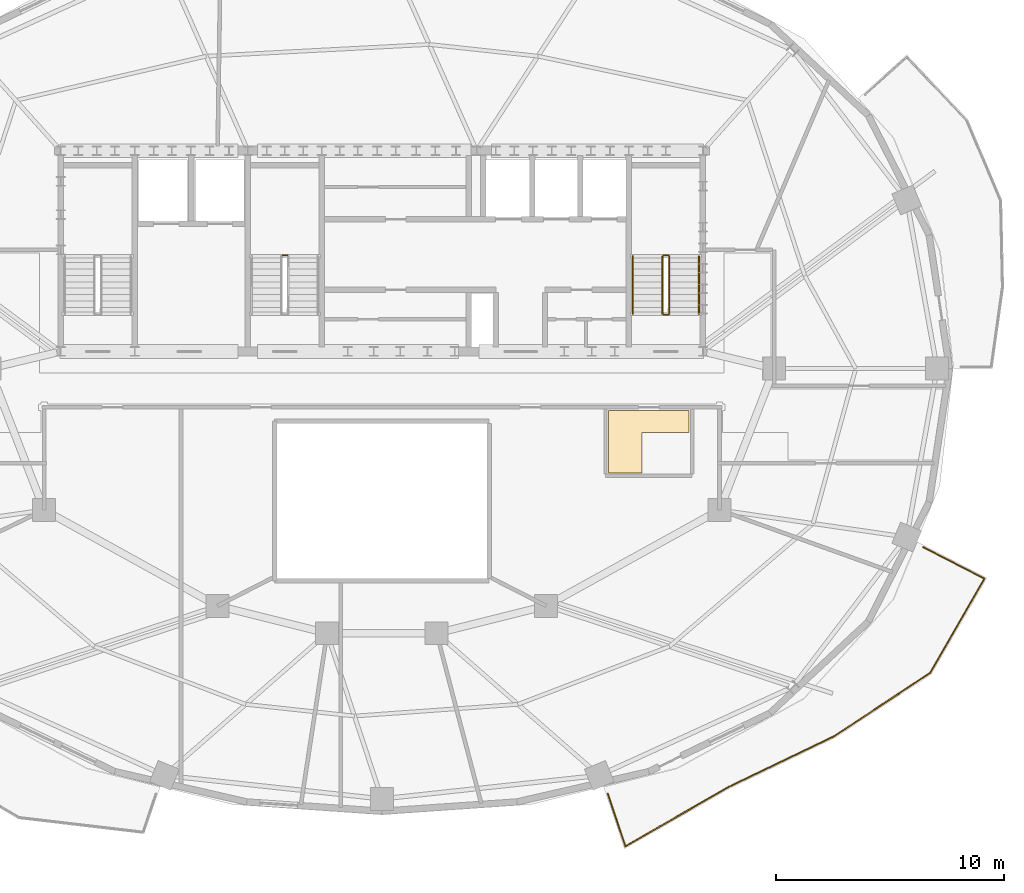
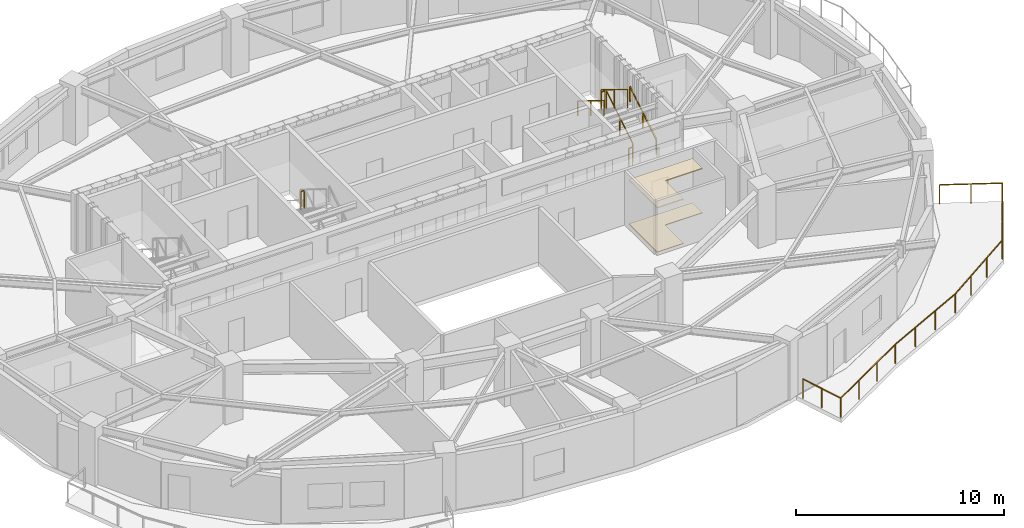
# One storey, part 9 of 10: 8 railings, 2 coverings.
"""IFC4 building model written with IfcOpenShell, lengths in metres."""

import ifcopenshell
import ifcopenshell.guid

model = None  # the IFC model being written
_history = None  # IfcOwnerHistory: only IFC2X3 demands one
_inside = {}  # id of a spatial element -> (the spatial element, [elements in it])
_under = {}  # id of a project, library or spatial element -> (it, [spatial elements below it])
_declared = {}  # id of a project -> (the project, [libraries it declares])
_typed = {}  # id of a type object -> (the type object, [elements of that type])
_made_of = {}  # id of a material, layer set ... -> (it, [elements and type objects made of it])


def new_model(schema):
    """Start an empty IFC model of exactly this schema.

    Asked for "IFC4X3", IfcOpenShell would pick the latest addendum, in which some entities
    have other attributes; the version numbers below select the first issue.
    IFC2X3 requires an IfcOwnerHistory on every rooted entity: one is made here for all.
    """
    global model, _history
    if schema == "IFC4X3":
        model = ifcopenshell.file(schema_version=(4, 3, 0, 0))
    else:
        model = ifcopenshell.file(schema=schema)
    _inside.clear()
    _under.clear()
    _declared.clear()
    _typed.clear()
    _made_of.clear()
    _history = None
    if model.schema == "IFC2X3":
        org = make("IfcOrganization", Name="unknown")
        user = make(
            "IfcPersonAndOrganization",
            ThePerson=make("IfcPerson", FamilyName="unknown"),
            TheOrganization=org,
        )
        app = make(
            "IfcApplication",
            ApplicationDeveloper=org,
            Version="unknown",
            ApplicationFullName="unknown",
            ApplicationIdentifier="unknown",
        )
        _history = make(
            "IfcOwnerHistory",
            OwningUser=user,
            OwningApplication=app,
            ChangeAction="ADDED",
            CreationDate=0,
        )
    return model


def make(cls, **values):
    """One entity of the class cls with the attributes given. An attribute that is None is left unset."""
    return model.create_entity(
        cls, **{name: value for name, value in values.items() if value is not None}
    )


def rooted(cls, **values):
    """An entity with a GlobalId (a new one), such as an element, a storey or a relation."""
    return make(cls, GlobalId=ifcopenshell.guid.new(), OwnerHistory=_history, **values)


def si_unit(unit_type, name, prefix=None):
    """IfcSIUnit, for example si_unit("LENGTHUNIT", "METRE", prefix="MILLI")."""
    return make("IfcSIUnit", UnitType=unit_type, Prefix=prefix, Name=name)


def assignment(units):
    """IfcUnitAssignment: the units of a project."""
    return None if units is None else make("IfcUnitAssignment", Units=units)


def point(xyz):
    """IfcCartesianPoint."""
    return None if xyz is None else make("IfcCartesianPoint", Coordinates=xyz)


def direction(xyz):
    """IfcDirection."""
    return None if xyz is None else make("IfcDirection", DirectionRatios=xyz)


def frame(location, z_axis=None, x_axis=None):
    """IfcAxis2Placement3D, a coordinate frame: its origin and axes. An axis left out is left unset."""
    return make(
        "IfcAxis2Placement3D",
        Location=point(location),
        Axis=direction(z_axis),
        RefDirection=direction(x_axis),
    )


def frame_2d(location, x_axis=None):
    """IfcAxis2Placement2D, a coordinate frame in the plane: its origin and x axis."""
    return make(
        "IfcAxis2Placement2D", Location=point(location), RefDirection=direction(x_axis)
    )


def origin():
    """The frame at (0, 0, 0) with its axes left unset."""
    return frame((0.0, 0.0, 0.0))


def origin_2d():
    """The frame at (0, 0) in the plane with its x axis left unset."""
    return frame_2d((0.0, 0.0))


def place(relative_to, where):
    """IfcLocalPlacement: puts the frame where relative to a parent placement (None: the world)."""
    return make(
        "IfcLocalPlacement", PlacementRelTo=relative_to, RelativePlacement=where
    )


def context(
    kind, dimensions, precision=None, world=None, true_north=None, identifier=None
):
    """IfcGeometricRepresentationContext, for example the 3D "Model" context."""
    return make(
        "IfcGeometricRepresentationContext",
        ContextIdentifier=identifier,
        ContextType=kind,
        CoordinateSpaceDimension=dimensions,
        Precision=precision,
        WorldCoordinateSystem=world,
        TrueNorth=true_north,
    )


def subcontext(parent, identifier, kind, view, scale=None):
    """IfcGeometricRepresentationSubContext, for example "Body" below "Model"."""
    return make(
        "IfcGeometricRepresentationSubContext",
        ContextIdentifier=identifier,
        ContextType=kind,
        ParentContext=parent,
        TargetScale=scale,
        TargetView=view,
    )


def project(units=None, contexts=None):
    """IfcProject with its units and contexts."""
    return rooted(
        "IfcProject",
        Name="project",
        RepresentationContexts=contexts,
        UnitsInContext=assignment(units),
    )


def spatial(cls, under=None, at=None, **own):
    """A site, building, storey or space (cls), placed at a placement, below another one or the project."""
    s = rooted(cls, ObjectPlacement=at, **own)
    if under is not None:
        _under.setdefault(under.id(), (under, []))[1].append(s)
    return s


def polyline(points):
    """IfcPolyline through the points."""
    return make("IfcPolyline", Points=[point(p) for p in points])


def profile(cls, at=None, kind="AREA", **sizes):
    """A parametric profile (cls). Its sizes go by their IFC names, for example OverallWidth=200.0."""
    return make(cls, ProfileType=kind, Position=at, **sizes)


def rectangle(**sizes):
    """IfcRectangleProfileDef."""
    return profile("IfcRectangleProfileDef", **sizes)


def outline(outer, holes=None, kind="AREA"):
    """IfcArbitraryClosedProfileDef: a profile drawn as a closed curve; with holes, ...WithVoids."""
    if holes is None:
        return make("IfcArbitraryClosedProfileDef", ProfileType=kind, OuterCurve=outer)
    return make(
        "IfcArbitraryProfileDefWithVoids",
        ProfileType=kind,
        OuterCurve=outer,
        InnerCurves=holes,
    )


def extrude(swept, where, along, depth):
    """IfcExtrudedAreaSolid: the profile swept, set in the frame where, extruded along a direction by depth."""
    return make(
        "IfcExtrudedAreaSolid",
        SweptArea=swept,
        Position=where,
        ExtrudedDirection=direction(along),
        Depth=depth,
    )


def shape(context_of_items, identifier, shape_type, items):
    """IfcShapeRepresentation: the items that make up one representation, for example the "Body"."""
    return make(
        "IfcShapeRepresentation",
        ContextOfItems=context_of_items,
        RepresentationIdentifier=identifier,
        RepresentationType=shape_type,
        Items=items,
    )


def material(Name=None, Category=None):
    """IfcMaterial."""
    return make("IfcMaterial", Name=Name, Category=Category)


def layer(
    of_material, thickness, ventilated=None, Name=None, Category=None, Priority=None
):
    """IfcMaterialLayer: one layer of a wall or slab, of a material (None: an air gap)."""
    return make(
        "IfcMaterialLayer",
        Material=of_material,
        LayerThickness=thickness,
        IsVentilated=ventilated,
        Name=Name,
        Category=Category,
        Priority=Priority,
    )


def layer_set(layers, Name=None):
    """IfcMaterialLayerSet."""
    return make("IfcMaterialLayerSet", MaterialLayers=layers, LayerSetName=Name)


def made_of(thing, what):
    """Note that an element or type object is made of a material, layer set ...; save() writes the relation."""
    if what is not None:
        _made_of.setdefault(what.id(), (what, []))[1].append(thing)
    return thing


def type_object(cls, material=None, **own):
    """A type object (cls), such as IfcWallType, which elements share."""
    return made_of(rooted(cls, **own), material)


def element(
    cls,
    number,
    at=None,
    inside=None,
    cuts=None,
    type_object=None,
    material=None,
    context=None,
    identifier="Body",
    shape_type=None,
    held_by="IfcProductDefinitionShape",
    body=None,
    shapes=None,
    **own,
):
    """One element of the class cls, such as IfcWall. Its Tag is "e" and its number.

    at: its placement. inside: the storey or other place that contains it. cuts: it is an
    opening in that element (IfcRelVoidsElement). A single representation is given by context,
    identifier, shape_type and body (its items); several are given by shapes. held_by: the class
    of the entity that holds the representations. save() writes the other relations.
    """
    e = rooted(cls, Tag="e%d" % number, ObjectPlacement=at, **own)
    if body is not None:
        shapes = [shape(context, identifier, shape_type, body)]
    if shapes is not None:
        e.Representation = make(held_by, Representations=shapes)
    if inside is not None:
        _inside.setdefault(inside.id(), (inside, []))[1].append(e)
    if cuts is not None:
        rooted(
            "IfcRelVoidsElement", RelatingBuildingElement=cuts, RelatedOpeningElement=e
        )
    if type_object is not None:
        _typed.setdefault(type_object.id(), (type_object, []))[1].append(e)
    return made_of(e, material)


def aggregate(whole, parts):
    """IfcRelAggregates: a whole, such as a stair, and the parts it consists of."""
    return rooted("IfcRelAggregates", RelatingObject=whole, RelatedObjects=parts)


def save(model, path):
    """Write the relations noted so far, then the file.

    IfcRelAggregates (storeys below a building ...), IfcRelContainedInSpatialStructure (elements
    in a storey), IfcRelDefinesByType, IfcRelAssociatesMaterial and IfcRelDeclares: one each for
    every whole, place, type object, material and project.
    """
    for whole, parts in _under.values():
        aggregate(whole, parts)
    for where, things in _inside.values():
        rooted(
            "IfcRelContainedInSpatialStructure",
            RelatedElements=things,
            RelatingStructure=where,
        )
    for kind, things in _typed.values():
        rooted("IfcRelDefinesByType", RelatedObjects=things, RelatingType=kind)
    for what, things in _made_of.values():
        rooted("IfcRelAssociatesMaterial", RelatedObjects=things, RelatingMaterial=what)
    for by, libraries in _declared.values():
        rooted("IfcRelDeclares", RelatingContext=by, RelatedDefinitions=libraries)
    model.write(path)


model = new_model("IFC4")

# Units and contexts
model_context = context("Model", 3, precision=1e-05, world=origin(), true_north=direction((0.0, 1.0)))
body_context = subcontext(model_context, "Body", "Model", "MODEL_VIEW")
ifc_project = project(units=[si_unit("LENGTHUNIT", "METRE"), si_unit("AREAUNIT", "SQUARE_METRE"), si_unit("VOLUMEUNIT", "CUBIC_METRE"), si_unit("PLANEANGLEUNIT", "RADIAN"), si_unit("MASSUNIT", "GRAM", prefix="KILO")], contexts=[model_context])

# Site, building, storey
site_placement = place(None, origin())
site = spatial("IfcSite", under=ifc_project, at=site_placement, CompositionType="ELEMENT")
building_placement = place(site_placement, origin())
building = spatial("IfcBuilding", under=site, at=building_placement, Name="Haldorwick Loom Tower", CompositionType="ELEMENT")
storey_placement = place(building_placement, frame((0.0, 0.0, 255.75)))
storey = spatial("IfcBuildingStorey", under=building, at=storey_placement, Name="L69", CompositionType="ELEMENT", Elevation=255.75)

# Coverings
ifc_material_1 = material(Name="Mineral Fibre Acoustic Ceiling Tile")
ifc_layer_1 = layer(ifc_material_1, 0.054931640625, Name="Mineral Fibre Acoustic Ceiling Tile")
ifc_layer_set_1 = layer_set([ifc_layer_1], Name="Mineral Fibre Acoustic Ceiling Tile")
covering_type_1 = type_object("IfcCoveringType", Name="ARC-COV-CEIL2", PredefinedType="CEILING", material=ifc_layer_set_1)
covering_1_placement = place(storey_placement, frame((0.0, 0.0, 2.594970703125)))
element("IfcCovering", 1, at=covering_1_placement, inside=storey, type_object=covering_type_1, Name="L69 Acoustic Suspended Ceiling 2", PredefinedType="CEILING", context=body_context, shape_type="SweptSolid", body=[
    extrude(outline(polyline([(45.929931640625, 24.159912109375), (45.929931640625, 21.429931640625), (47.39990234375, 21.429931640625), (47.39990234375, 23.199951171875), (49.469970703125, 23.199951171875), (49.469970703125, 24.159912109375), (45.929931640625, 24.159912109375)])), origin(), (0.0, 0.0, 1.0), 0.054931640625),
])
ifc_material_2 = material(Name="Polished Aggregate Terrazzo Finish")
ifc_layer_2 = layer(ifc_material_2, 0.044921875, Name="Polished Aggregate Terrazzo Finish")
ifc_layer_set_2 = layer_set([ifc_layer_2], Name="Polished Aggregate Terrazzo Finish")
covering_type_2 = type_object("IfcCoveringType", Name="ARC-COV-FLOOR2", PredefinedType="FLOORING", material=ifc_layer_set_2)
covering_2_placement = place(storey_placement, origin())
element("IfcCovering", 2, at=covering_2_placement, inside=storey, type_object=covering_type_2, Name="L69 Floor Finish 2", PredefinedType="FLOORING", context=body_context, shape_type="SweptSolid", body=[
    extrude(outline(polyline([(45.929931640625, 24.159912109375), (45.929931640625, 21.429931640625), (47.39990234375, 21.429931640625), (47.39990234375, 23.199951171875), (49.469970703125, 23.199951171875), (49.469970703125, 24.159912109375), (45.929931640625, 24.159912109375)])), origin(), (0.0, 0.0, 1.0), 0.044921875),
])

# Railings
ifc_material_3 = material(Name="Galvanized Steel CSA G40.21 350W", Category="steel")
railing_type_1 = type_object("IfcRailingType", Name="ARC-RLG-BAL115", PredefinedType="BALUSTRADE", material=ifc_material_3)
railing_1_placement = place(storey_placement, frame((59.727783203125, 18.17724609375, 0.0)))
element("IfcRailing", 3, at=railing_1_placement, inside=storey, type_object=railing_type_1, Name="L69 Outdoor Terrace Guardrail SLB-L69-BAL_SE-1", PredefinedType="BALUSTRADE", context=body_context, shape_type="SweptSolid", body=[
    extrude(rectangle(XDim=0.048095703125, YDim=0.048095703125, at=origin_2d()), frame((0.0, 0.0, 1.1259765625), z_axis=(0.888515434259, -0.458846731583, 0.0), x_axis=(0.458846731583, 0.888515434259, 0.0)), (0.0, 0.0, 1.0), 3.0205078125),
    extrude(rectangle(XDim=0.048095703125, YDim=0.048095703125, at=origin_2d()), frame((2.683837890625, -1.385986328125, 1.1259765625), z_axis=(-0.499904092211, -0.866080769092, 0.0), x_axis=(0.866080769092, -0.499904092211, 0.0)), (0.0, 0.0, 1.0), 4.7705078125),
    extrude(rectangle(XDim=0.048095703125, YDim=0.048095703125, at=origin_2d()), frame((0.299072265625, -5.517578125, 1.1259765625), z_axis=(-0.835016316528, -0.550225182204, 0.0), x_axis=(0.550225182204, -0.835016316528, 0.0)), (0.0, 0.0, 1.0), 5.044921875),
    extrude(rectangle(XDim=0.048095703125, YDim=0.048095703125, at=origin_2d()), frame((-3.91357421875, -8.29345703125, 1.1259765625), z_axis=(-0.900959540585, -0.43390310696, 0.0), x_axis=(0.43390310696, -0.900959540585, 0.0)), (0.0, 0.0, 1.0), 5.117919921875),
    extrude(rectangle(XDim=0.048095703125, YDim=0.048095703125, at=origin_2d()), frame((-8.524658203125, -10.51416015625, 1.1259765625), z_axis=(-0.88583153528, -0.464006994671, 0.0), x_axis=(0.464006994671, -0.88583153528, 0.0)), (0.0, 0.0, 1.0), 0.005859375),
    extrude(rectangle(XDim=0.048095703125, YDim=0.048095703125, at=origin_2d()), frame((-8.52978515625, -10.516845703125, 1.1259765625), z_axis=(-0.867556557093, -0.497338536858, 0.0), x_axis=(0.497338536858, -0.867556557093, 0.0)), (0.0, 0.0, 1.0), 5.21435546875),
    extrude(rectangle(XDim=0.048095703125, YDim=0.048095703125, at=origin_2d()), frame((-13.053466796875, -13.110107421875, 1.1259765625), z_axis=(-0.318097128487, 0.948058129467, 0.0), x_axis=(-0.948058129467, -0.318097128487, 0.0)), (0.0, 0.0, 1.0), 2.428466796875),
    extrude(rectangle(XDim=0.0419921875, YDim=0.0419921875, at=origin_2d()), origin(), (0.0, 0.0, 1.0), 1.101806640625),
    extrude(rectangle(XDim=0.0419921875, YDim=0.0419921875, at=origin_2d()), frame((1.341796875, -0.69287109375, 0.0)), (0.0, 0.0, 1.0), 1.101806640625),
    extrude(rectangle(XDim=0.0419921875, YDim=0.0419921875, at=origin_2d()), frame((2.683837890625, -1.385986328125, 0.0)), (0.0, 0.0, 1.0), 1.101806640625),
    extrude(rectangle(XDim=0.0419921875, YDim=0.0419921875, at=origin_2d()), frame((1.888916015625, -2.76318359375, 0.0)), (0.0, 0.0, 1.0), 1.101806640625),
    extrude(rectangle(XDim=0.0419921875, YDim=0.0419921875, at=origin_2d()), frame((1.093994140625, -4.140380859375, 0.0)), (0.0, 0.0, 1.0), 1.101806640625),
    extrude(rectangle(XDim=0.0419921875, YDim=0.0419921875, at=origin_2d()), frame((0.299072265625, -5.517578125, 0.0)), (0.0, 0.0, 1.0), 1.101806640625),
    extrude(rectangle(XDim=0.0419921875, YDim=0.0419921875, at=origin_2d()), frame((-1.105224609375, -6.44287109375, 0.0)), (0.0, 0.0, 1.0), 1.101806640625),
    extrude(rectangle(XDim=0.0419921875, YDim=0.0419921875, at=origin_2d()), frame((-2.50927734375, -7.3681640625, 0.0)), (0.0, 0.0, 1.0), 1.101806640625),
    extrude(rectangle(XDim=0.0419921875, YDim=0.0419921875, at=origin_2d()), frame((-3.91357421875, -8.29345703125, 0.0)), (0.0, 0.0, 1.0), 1.101806640625),
    extrude(rectangle(XDim=0.0419921875, YDim=0.0419921875, at=origin_2d()), frame((-5.45068359375, -9.03369140625, 0.0)), (0.0, 0.0, 1.0), 1.101806640625),
    extrude(rectangle(XDim=0.0419921875, YDim=0.0419921875, at=origin_2d()), frame((-6.987548828125, -9.77392578125, 0.0)), (0.0, 0.0, 1.0), 1.101806640625),
    extrude(rectangle(XDim=0.0419921875, YDim=0.0419921875, at=origin_2d()), frame((-8.524658203125, -10.51416015625, 0.0)), (0.0, 0.0, 1.0), 1.101806640625),
    extrude(rectangle(XDim=0.0419921875, YDim=0.0419921875, at=origin_2d()), frame((-10.03759765625, -11.38134765625, 0.0)), (0.0, 0.0, 1.0), 1.101806640625),
    extrude(rectangle(XDim=0.0419921875, YDim=0.0419921875, at=origin_2d()), frame((-11.545654296875, -12.24560546875, 0.0)), (0.0, 0.0, 1.0), 1.101806640625),
    extrude(rectangle(XDim=0.0419921875, YDim=0.0419921875, at=origin_2d()), frame((-13.053466796875, -13.110107421875, 0.0)), (0.0, 0.0, 1.0), 1.101806640625),
    extrude(rectangle(XDim=0.0419921875, YDim=0.0419921875, at=origin_2d()), frame((-13.439697265625, -11.958984375, 0.0)), (0.0, 0.0, 1.0), 1.101806640625),
    extrude(rectangle(XDim=0.0419921875, YDim=0.0419921875, at=origin_2d()), frame((-13.825927734375, -10.807861328125, 0.0)), (0.0, 0.0, 1.0), 1.101806640625),
])
ifc_material_4 = material(Name="Steel CSA G40.21 350W", Category="steel")
railing_type_2 = type_object("IfcRailingType", Name="ARC-RLG-GUARD112", PredefinedType="GUARDRAIL", material=ifc_material_4)
railing_2_placement = place(storey_placement, frame((48.60009765625, 28.39990234375, 0.172607421875)))
element("IfcRailing", 4, at=railing_2_placement, inside=storey, type_object=railing_type_2, Name="L69 ST-02 stair guard 1", PredefinedType="GUARDRAIL", context=body_context, shape_type="SweptSolid", body=[
    extrude(rectangle(XDim=0.048095703125, YDim=0.048095703125, at=origin_2d()), frame((0.0, 0.0, 1.076171875), z_axis=(0.0, 0.851400495292, 0.524516154772), x_axis=(-1.0, 0.0, 0.0)), (0.0, 0.0, 1.0), 2.9599609375),
    extrude(rectangle(XDim=0.0419921875, YDim=0.0419921875, at=origin_2d()), origin(), (0.0, 0.0, 1.0), 1.052001953125),
    extrude(rectangle(XDim=0.0419921875, YDim=0.0419921875, at=origin_2d()), frame((0.0, 1.260009765625, 0.7763671875)), (0.0, 0.0, 1.0), 1.052001953125),
    extrude(rectangle(XDim=0.0419921875, YDim=0.0419921875, at=origin_2d()), frame((0.0, 2.52001953125, 1.552490234375)), (0.0, 0.0, 1.0), 1.052001953125),
])
railing_3_placement = place(storey_placement, frame((48.550048828125, 30.969970703125, 1.72509765625)))
element("IfcRailing", 5, at=railing_3_placement, inside=storey, type_object=railing_type_2, Name="L69 ST-02 stair guard 2", PredefinedType="GUARDRAIL", context=body_context, shape_type="SweptSolid", body=[
    extrude(rectangle(XDim=0.048095703125, YDim=0.048095703125, at=origin_2d()), frame((0.0, 0.0, 1.076171875), z_axis=(-1.0, 0.0, 0.0), x_axis=(0.0, -1.0, 0.0)), (0.0, 0.0, 1.0), 0.199951171875),
    extrude(rectangle(XDim=0.0419921875, YDim=0.0419921875, at=origin_2d()), origin(), (0.0, 0.0, 1.0), 1.052001953125),
    extrude(rectangle(XDim=0.0419921875, YDim=0.0419921875, at=origin_2d()), frame((-0.199951171875, 0.0, 0.0)), (0.0, 0.0, 1.0), 1.052001953125),
])
railing_4_placement = place(storey_placement, frame((48.300048828125, 30.919921875, 1.8974609375)))
element("IfcRailing", 6, at=railing_4_placement, inside=storey, type_object=railing_type_2, Name="L69 ST-02 stair guard 3", PredefinedType="GUARDRAIL", context=body_context, shape_type="SweptSolid", body=[
    extrude(rectangle(XDim=0.048095703125, YDim=0.048095703125, at=origin_2d()), frame((0.0, 0.0, 1.076171875), z_axis=(0.0, -0.851400495292, 0.524516154772), x_axis=(1.0, 0.0, 0.0)), (0.0, 0.0, 1.0), 2.9599609375),
    extrude(rectangle(XDim=0.0419921875, YDim=0.0419921875, at=origin_2d()), origin(), (0.0, 0.0, 1.0), 1.052001953125),
    extrude(rectangle(XDim=0.0419921875, YDim=0.0419921875, at=origin_2d()), frame((0.0, -1.260009765625, 0.7763671875)), (0.0, 0.0, 1.0), 1.052001953125),
    extrude(rectangle(XDim=0.0419921875, YDim=0.0419921875, at=origin_2d()), frame((0.0, -2.52001953125, 1.552490234375)), (0.0, 0.0, 1.0), 1.052001953125),
])
railing_5_placement = place(storey_placement, frame((48.550048828125, 28.35009765625, 0.0)))
element("IfcRailing", 7, at=railing_5_placement, inside=storey, type_object=railing_type_2, Name="L69 ST-02 stair guard 4", PredefinedType="GUARDRAIL", context=body_context, shape_type="SweptSolid", body=[
    extrude(rectangle(XDim=0.048095703125, YDim=0.048095703125, at=origin_2d()), frame((0.0, 0.0, 1.076171875), z_axis=(-1.0, 0.0, 0.0), x_axis=(0.0, -1.0, 0.0)), (0.0, 0.0, 1.0), 0.199951171875),
    extrude(rectangle(XDim=0.0419921875, YDim=0.0419921875, at=origin_2d()), origin(), (0.0, 0.0, 1.0), 1.052001953125),
    extrude(rectangle(XDim=0.0419921875, YDim=0.0419921875, at=origin_2d()), frame((-0.199951171875, 0.0, 0.0)), (0.0, 0.0, 1.0), 1.052001953125),
])
railing_6_placement = place(storey_placement, frame((31.85009765625, 30.969970703125, 1.72509765625)))
element("IfcRailing", 8, at=railing_6_placement, inside=storey, type_object=railing_type_2, Name="L69 ST-03 stair guard 2", PredefinedType="GUARDRAIL", context=body_context, shape_type="SweptSolid", body=[
    extrude(rectangle(XDim=0.048095703125, YDim=0.048095703125, at=origin_2d()), frame((0.0, 0.0, 1.076171875), z_axis=(-1.0, 0.0, 0.0), x_axis=(0.0, -1.0, 0.0)), (0.0, 0.0, 1.0), 0.2001953125),
    extrude(rectangle(XDim=0.0419921875, YDim=0.0419921875, at=origin_2d()), origin(), (0.0, 0.0, 1.0), 1.052001953125),
    extrude(rectangle(XDim=0.0419921875, YDim=0.0419921875, at=origin_2d()), frame((-0.2001953125, 0.0, 0.0)), (0.0, 0.0, 1.0), 1.052001953125),
])
railing_type_3 = type_object("IfcRailingType", Name="ARC-RLG-HAND092", PredefinedType="HANDRAIL", material=ifc_material_4)
railing_7_placement = place(storey_placement, frame((49.89990234375, 28.39990234375, 0.172607421875)))
element("IfcRailing", 9, at=railing_7_placement, inside=storey, type_object=railing_type_3, Name="L69 ST-02 stair handrail 1", PredefinedType="HANDRAIL", context=body_context, shape_type="SweptSolid", body=[
    extrude(rectangle(XDim=0.048095703125, YDim=0.048095703125, at=origin_2d()), frame((0.0, 0.0, 0.8759765625), z_axis=(0.0, 0.851400495292, 0.524516154772), x_axis=(-1.0, 0.0, 0.0)), (0.0, 0.0, 1.0), 2.9599609375),
    extrude(rectangle(XDim=0.0419921875, YDim=0.0419921875, at=origin_2d()), origin(), (0.0, 0.0, 1.0), 0.851806640625),
    extrude(rectangle(XDim=0.0419921875, YDim=0.0419921875, at=origin_2d()), frame((0.0, 1.260009765625, 0.7763671875)), (0.0, 0.0, 1.0), 0.851806640625),
    extrude(rectangle(XDim=0.0419921875, YDim=0.0419921875, at=origin_2d()), frame((0.0, 2.52001953125, 1.552490234375)), (0.0, 0.0, 1.0), 0.851806640625),
])
railing_8_placement = place(storey_placement, frame((47.0, 30.919921875, 1.8974609375)))
element("IfcRailing", 10, at=railing_8_placement, inside=storey, type_object=railing_type_3, Name="L69 ST-02 stair handrail 2", PredefinedType="HANDRAIL", context=body_context, shape_type="SweptSolid", body=[
    extrude(rectangle(XDim=0.048095703125, YDim=0.048095703125, at=origin_2d()), frame((0.0, 0.0, 0.8759765625), z_axis=(0.0, -0.851400495292, 0.524516154772), x_axis=(1.0, 0.0, 0.0)), (0.0, 0.0, 1.0), 2.9599609375),
    extrude(rectangle(XDim=0.0419921875, YDim=0.0419921875, at=origin_2d()), origin(), (0.0, 0.0, 1.0), 0.851806640625),
    extrude(rectangle(XDim=0.0419921875, YDim=0.0419921875, at=origin_2d()), frame((0.0, -1.260009765625, 0.7763671875)), (0.0, 0.0, 1.0), 0.851806640625),
    extrude(rectangle(XDim=0.0419921875, YDim=0.0419921875, at=origin_2d()), frame((0.0, -2.52001953125, 1.552490234375)), (0.0, 0.0, 1.0), 0.851806640625),
])

save(model, "model.ifc")
